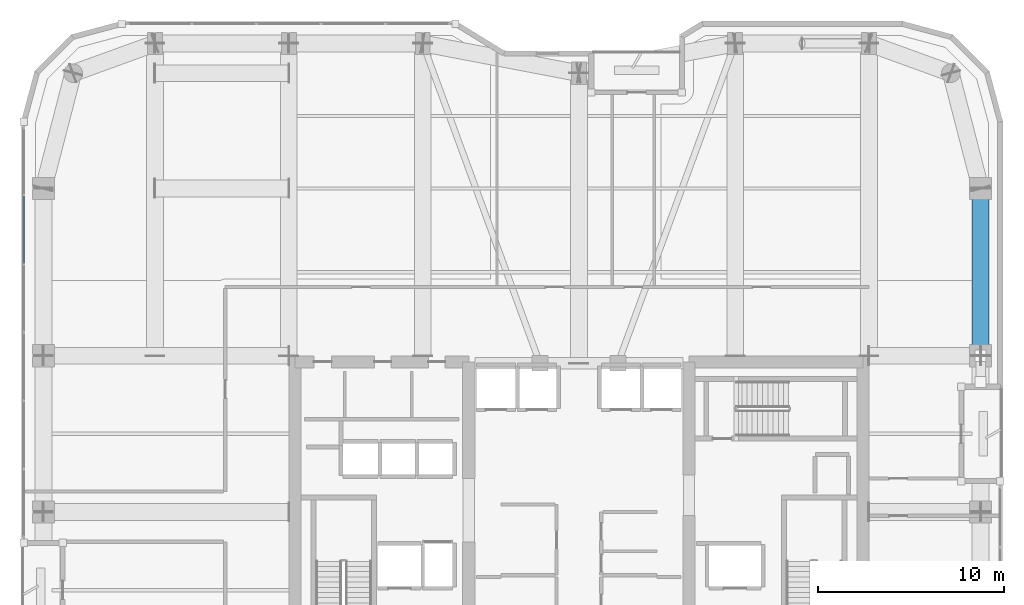
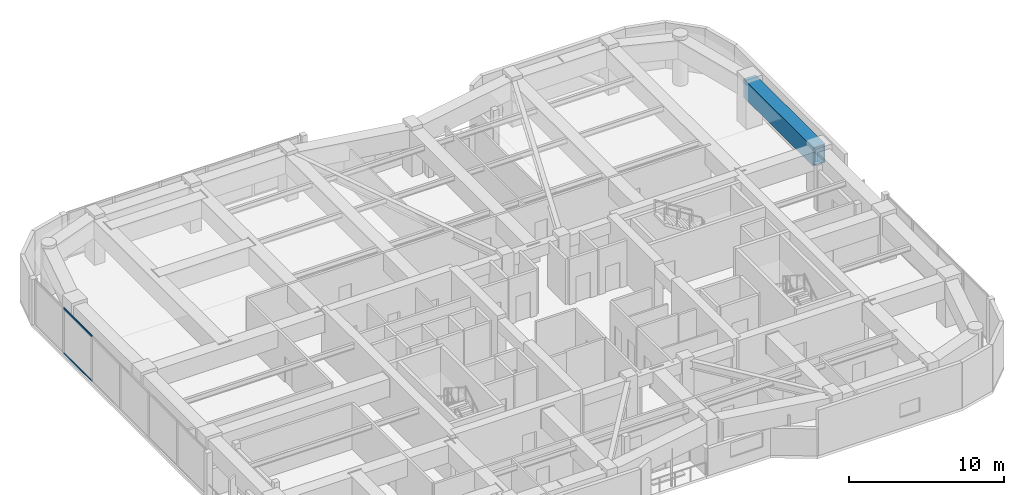
# One storey, part 12 of 30: 2 members, 1 beam, 1 element without a shape of its own.
"""IFC4 building model written with IfcOpenShell, lengths in metres."""

from ifc_helpers import new_model, si_unit, direction, frame, origin, origin_2d, place, context, subcontext, project, spatial, hollow_rectangle, extrude, material, layer, layer_set, material_profile, profile_set, type_object, element, aggregate, save


model = new_model("IFC4")

# Units and contexts
model_context = context("Model", 3, precision=1e-05, world=origin(), true_north=direction((0.0, 1.0)))
body_context = subcontext(model_context, "Body", "Model", "MODEL_VIEW")
ifc_project = project(units=[si_unit("LENGTHUNIT", "METRE"), si_unit("AREAUNIT", "SQUARE_METRE"), si_unit("VOLUMEUNIT", "CUBIC_METRE"), si_unit("PLANEANGLEUNIT", "RADIAN"), si_unit("MASSUNIT", "GRAM", prefix="KILO")], contexts=[model_context])

# Site, building, storey
site_placement = place(None, origin())
site = spatial("IfcSite", under=ifc_project, at=site_placement, CompositionType="ELEMENT")
building_placement = place(site_placement, origin())
building = spatial("IfcBuilding", under=site, at=building_placement, Name="Kiyonajd Concourse Tower", CompositionType="ELEMENT")
storey_placement = place(building_placement, frame((0.0, 0.0, 205.800048828125)))
storey = spatial("IfcBuildingStorey", under=building, at=storey_placement, Name="L52", CompositionType="ELEMENT", Elevation=205.800048828125)

# Beam
ifc_material_1 = material(Name="Steel ASTM A572 Grade 50", Category="steel")
ifc_material_profile_1 = material_profile(ifc_material_1, hollow_rectangle(XDim=0.89990234375, YDim=1.449951171875, WallThickness=0.074951171875, at=origin_2d()), Name="BOX-1450x900x75")
ifc_profile_set_1 = profile_set([ifc_material_profile_1], Name="Steel ASTM A572 Grade 50")
beam_type = type_object("IfcBeamType", Name="BM-XFER-1800", PredefinedType="BEAM", material=ifc_profile_set_1)
beam_placement = place(storey_placement, frame((69.60009765625, 44.39990234375, 2.875), z_axis=(0.0, 1.0, 0.0), x_axis=(-1.0, 0.0, 0.0)))
element("IfcBeam", 1, at=beam_placement, inside=storey, type_object=beam_type, Name="L52 Perimeter Bundled Tube Spandrel", PredefinedType="BEAM", context=body_context, shape_type="SweptSolid", body=[
    extrude(hollow_rectangle(XDim=0.89990234375, YDim=1.449951171875, WallThickness=0.074951171875, at=origin_2d()), origin(), (0.0, 0.0, 1.0), 9.0),
])

# Curtain wall, members
ifc_material_2 = material(Name="Thermally Broken Anodised Aluminium", Category="aluminium")
ifc_layer = layer(ifc_material_2, 0.179931640625)
ifc_layer_set = layer_set([ifc_layer], Name="Thermally Broken Anodised Aluminium")
curtain_wall_type = type_object("IfcCurtainWallType", Name="CW-SYS-03", PredefinedType="NOTDEFINED", material=ifc_layer_set)
curtain_wall_placement = place(storey_placement, origin())
curtain_wall = element("IfcCurtainWall", 2, at=curtain_wall_placement, inside=storey, type_object=curtain_wall_type, Name="L52 Unitised Curtain Wall CW3", PredefinedType="NOTDEFINED")
ifc_material_profile_2 = material_profile(ifc_material_2, hollow_rectangle(XDim=0.06494140625, YDim=0.139892578125, WallThickness=0.00390625, at=origin_2d()), Name="TRAN-65x140")
ifc_profile_set_2 = profile_set([ifc_material_profile_2], Name="Thermally Broken Anodised Aluminium")
member_type = type_object("IfcMemberType", Name="MB-CW-TRAN1", PredefinedType="USERDEFINED", material=ifc_profile_set_2)
member_1_placement = place(storey_placement, frame((18.139892578125, 49.3701171875, 0.032470703125), z_axis=(0.0, 1.0, 0.0), x_axis=(-1.0, 0.0, 0.0)))
member_1 = element("IfcMember", 3, at=member_1_placement, type_object=member_type, Name="CW3 transom 5.1", ObjectType="TRANSOM", PredefinedType="USERDEFINED", context=body_context, shape_type="SweptSolid", body=[
    extrude(hollow_rectangle(XDim=0.06494140625, YDim=0.139892578125, WallThickness=0.00390625, at=origin_2d()), origin(), (0.0, 0.0, 1.0), 3.612060546875),
])
member_2_placement = place(storey_placement, frame((18.139892578125, 49.3701171875, 3.5673828125), z_axis=(0.0, 1.0, 0.0), x_axis=(-1.0, 0.0, 0.0)))
member_2 = element("IfcMember", 4, at=member_2_placement, type_object=member_type, Name="CW3 transom 5.2", ObjectType="TRANSOM", PredefinedType="USERDEFINED", context=body_context, shape_type="SweptSolid", body=[
    extrude(hollow_rectangle(XDim=0.06494140625, YDim=0.139892578125, WallThickness=0.00390625, at=origin_2d()), origin(), (0.0, 0.0, 1.0), 3.612060546875),
])
aggregate(curtain_wall, [member_1, member_2])

save(model, "model.ifc")
